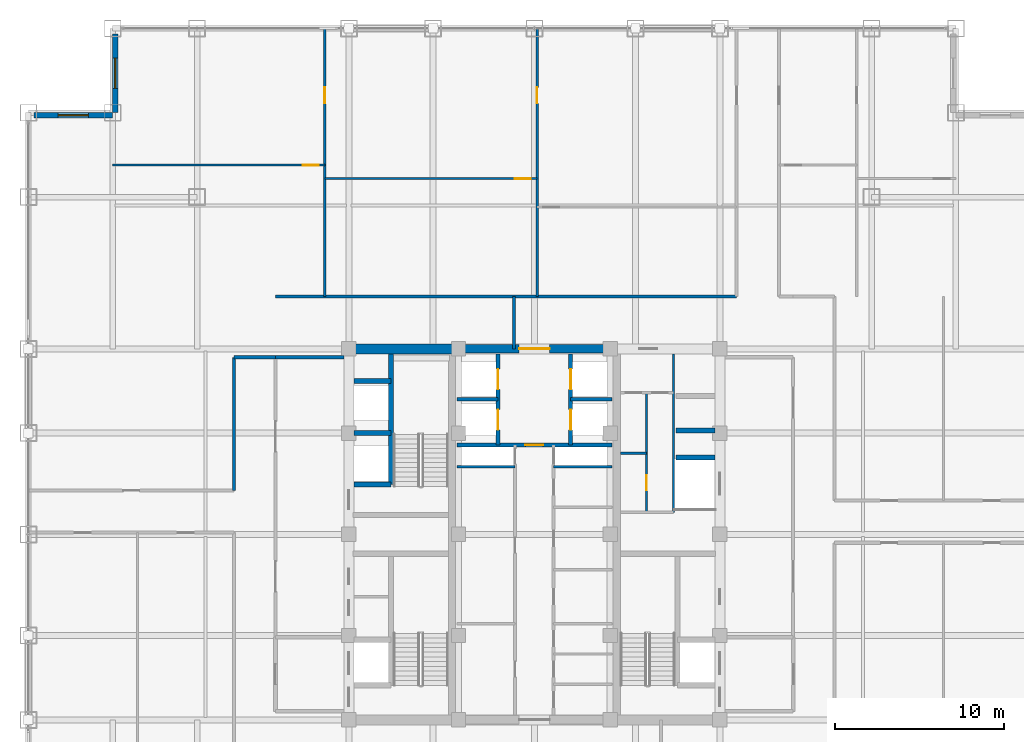
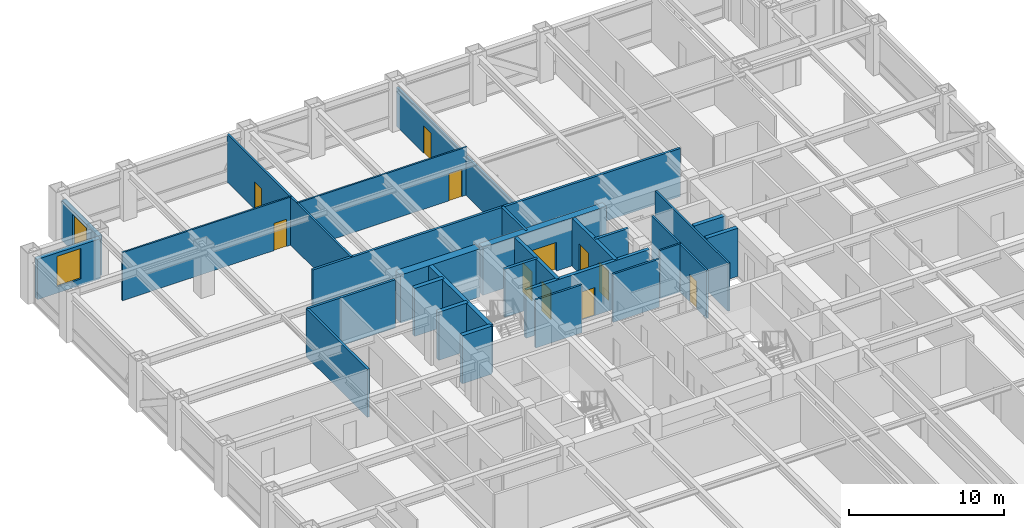
# One storey, part 22 of 25: 29 walls, 11 doors, 2 windows, 13 openings.
"""IFC4 building model written with IfcOpenShell, lengths in metres."""

from ifc_helpers import new_model, si_unit, direction, frame, frame_2d, origin, place, context, subcontext, project, spatial, rectangle, extrude, source, transform, mapped, material, layer, layer_set, type_object, element, fill, save


model = new_model("IFC4")

# Units and contexts
model_context = context("Model", 3, precision=1e-05, world=origin(), true_north=direction((0.0, 1.0)))
body_context = subcontext(model_context, "Body", "Model", "MODEL_VIEW")
ifc_project = project(units=[si_unit("LENGTHUNIT", "METRE"), si_unit("AREAUNIT", "SQUARE_METRE"), si_unit("VOLUMEUNIT", "CUBIC_METRE"), si_unit("PLANEANGLEUNIT", "RADIAN"), si_unit("MASSUNIT", "GRAM", prefix="KILO")], contexts=[model_context])

# Site, building, storey
site_placement = place(None, origin())
site = spatial("IfcSite", under=ifc_project, at=site_placement, CompositionType="ELEMENT")
building_placement = place(site_placement, origin())
building = spatial("IfcBuilding", under=site, at=building_placement, Name="Khorayat Bourse Tower", CompositionType="ELEMENT")
storey_placement = place(building_placement, frame((0.0, 0.0, 223.10009765625)))
storey = spatial("IfcBuildingStorey", under=building, at=storey_placement, Name="L52", CompositionType="ELEMENT", Elevation=223.10009765625)

# Wall, opening, door
ifc_material_1 = material(Name="Concrete C52/65", Category="concrete")
ifc_layer_1 = layer(ifc_material_1, 0.5)
ifc_layer_set_1 = layer_set([ifc_layer_1], Name="Concrete C52/65")
wall_type_1 = type_object("IfcWallType", Name="WAL-CORE-500", PredefinedType="SHEAR", material=ifc_layer_set_1)
shared_shape_1 = source(origin(), body_context, "Body", "SweptSolid", [
    extrude(rectangle(XDim=9.2001953125, YDim=0.5, at=frame_2d((4.60009765625, 0.0))), origin(), (0.0, 0.0, 1.0), 3.77978515625),
])
wall_1_placement = place(storey_placement, frame((-4.60009765625, 11.0, 0.0), z_axis=(0.0, 0.0, 1.0), x_axis=(1.0, 0.0, 0.0)))
wall_1 = element("IfcWall", 1, at=wall_1_placement, inside=storey, type_object=wall_type_1, Name="L52 Core Shear Wall CORE-N", PredefinedType="SHEAR", context=body_context, shape_type="MappedRepresentation", body=[
    mapped(shared_shape_1, transform((0.0, 0.0, 0.0), scale=1.0)),
])
shared_shape_2 = source(origin(), body_context, "Body", "SweptSolid", [
    extrude(rectangle(XDim=1.800048828125, YDim=2.25, at=frame_2d((0.89990234375, 1.125))), frame((0.0, 0.260009765625, 0.0), z_axis=(0.0, -1.0, 0.0), x_axis=(1.0, 0.0, 0.0)), (0.0, 0.0, 1.0), 0.52001953125),
])
opening_1_placement = place(wall_1_placement, frame((3.699951171875, 0.0, 0.0)))
opening_1 = element("IfcOpeningElement", 2, at=opening_1_placement, cuts=wall_1, Name="Opening DI-03", PredefinedType="OPENING", context=body_context, shape_type="MappedRepresentation", body=[
    mapped(shared_shape_2, transform((0.0, 0.0, 0.0), scale=1.0)),
])
ifc_material_2 = material(Name="Fire-rated hardwood vision-panel double leaf", Category="wood")
door_type_1 = type_object("IfcDoorType", Name="DR-INT-CORR-1800", OperationType="NOTDEFINED", PredefinedType="DOOR", material=ifc_material_2)
shared_shape_3 = source(origin(), body_context, "Body", "SweptSolid", [
    extrude(rectangle(XDim=1.800048828125, YDim=2.25, at=frame_2d((0.89990234375, 1.125))), frame((0.0, 0.02490234375, 0.0), z_axis=(0.0, -1.0, 0.0), x_axis=(1.0, 0.0, 0.0)), (0.0, 0.0, 1.0), 0.050048828125),
])
door_1_placement = place(opening_1_placement, origin())
door_1 = element("IfcDoor", 3, at=door_1_placement, inside=storey, type_object=door_type_1, Name="L52 Mid-Rise Lift Lobby Door", OperationType="SINGLE_SWING_RIGHT", OverallHeight=2.25, OverallWidth=1.800048828125, PredefinedType="DOOR", context=body_context, shape_type="MappedRepresentation", body=[
    mapped(shared_shape_3, transform((0.0, 0.0, 0.0), scale=1.0)),
])
fill(opening_1, door_1)

# Wall
ifc_material_3 = material(Name="Concrete C60/75", Category="concrete")
ifc_layer_2 = layer(ifc_material_3, 0.60009765625)
ifc_layer_set_2 = layer_set([ifc_layer_2], Name="Concrete C60/75")
wall_type_2 = type_object("IfcWallType", Name="WAL-CORE-600", PredefinedType="SHEAR", material=ifc_layer_set_2)
shared_shape_4 = source(origin(), body_context, "Body", "SweptSolid", [
    extrude(rectangle(XDim=5.89990234375, YDim=0.60009765625, at=frame_2d((2.949951171875, 0.0))), origin(), (0.0, 0.0, 1.0), 3.77978515625),
])
wall_2_placement = place(storey_placement, frame((-10.75, 11.0, 0.0), z_axis=(0.0, 0.0, 1.0), x_axis=(1.0, 0.0, 0.0)))
element("IfcWall", 4, at=wall_2_placement, inside=storey, type_object=wall_type_2, Name="L52 Core Shear Wall PIER-WN", PredefinedType="SHEAR", context=body_context, shape_type="MappedRepresentation", body=[
    mapped(shared_shape_4, transform((0.0, 0.0, 0.0), scale=1.0)),
])

# Wall, opening, window
ifc_material_4 = material(Name="Precast concrete C45/55", Category="concrete")
ifc_layer_3 = layer(ifc_material_4, 0.320068359375)
ifc_layer_set_3 = layer_set([ifc_layer_3], Name="Precast concrete C45/55")
wall_type_3 = type_object("IfcWallType", Name="WAL-EXT-STONE-320", PredefinedType="STANDARD", material=ifc_layer_set_3)
shared_shape_5 = source(origin(), body_context, "Body", "SweptSolid", [
    extrude(rectangle(XDim=4.679931640625, YDim=0.320068359375, at=frame_2d((2.33984375, 0.0))), origin(), (0.0, 0.0, 1.0), 3.163818359375),
])
wall_3_placement = place(storey_placement, frame((-24.840087890625, 25.0, 0.0), z_axis=(0.0, 0.0, 1.0), x_axis=(0.0, 1.0, 0.0)))
wall_3 = element("IfcWall", 5, at=wall_3_placement, inside=storey, type_object=wall_type_3, Name="L52 Re-Entrant Notch Limestone Wall NW-V", PredefinedType="STANDARD", context=body_context, shape_type="MappedRepresentation", body=[
    mapped(shared_shape_5, transform((0.0, 0.0, 0.0), scale=1.0)),
])
shared_shape_6 = source(origin(), body_context, "Body", "SweptSolid", [
    extrude(rectangle(XDim=1.800048828125, YDim=2.39990234375, at=frame_2d((0.89990234375, 1.199951171875))), frame((0.0, 0.169921875, 0.0), z_axis=(0.0, -1.0, 0.0), x_axis=(1.0, 0.0, 0.0)), (0.0, 0.0, 1.0), 0.340087890625),
])
opening_2_placement = place(wall_3_placement, frame((1.43994140625, 0.0, 0.5)))
opening_2 = element("IfcOpeningElement", 6, at=opening_2_placement, cuts=wall_3, Name="Opening WN-04", PredefinedType="OPENING", context=body_context, shape_type="MappedRepresentation", body=[
    mapped(shared_shape_6, transform((0.0, 0.0, 0.0), scale=1.0)),
])
ifc_material_5 = material(Name="Low-E acoustic laminated double glazing", Category="glass")
window_type = type_object("IfcWindowType", Name="WIN-NOTCH-1800x2400", PartitioningType="SINGLE_PANEL", PredefinedType="WINDOW", material=ifc_material_5)
shared_shape_7 = source(origin(), body_context, "Body", "SweptSolid", [
    extrude(rectangle(XDim=1.800048828125, YDim=2.39990234375, at=frame_2d((0.89990234375, 1.199951171875))), frame((0.0, 0.030029296875, 0.0), z_axis=(0.0, -1.0, 0.0), x_axis=(1.0, 0.0, 0.0)), (0.0, 0.0, 1.0), 0.06005859375),
])
window_1_placement = place(opening_2_placement, origin())
window_1 = element("IfcWindow", 7, at=window_1_placement, inside=storey, type_object=window_type, Name="L52 Facade Window 1", OverallHeight=2.39990234375, OverallWidth=1.800048828125, PartitioningType="SINGLE_PANEL", PredefinedType="WINDOW", context=body_context, shape_type="MappedRepresentation", body=[
    mapped(shared_shape_7, transform((0.0, 0.0, 0.0), scale=1.0)),
])
fill(opening_2, window_1)

wall_4_placement = place(storey_placement, frame((-25.0, 24.840087890625, 0.0), z_axis=(0.0, 0.0, 1.0), x_axis=(-1.0, 0.0, 0.0)))
wall_4 = element("IfcWall", 8, at=wall_4_placement, inside=storey, type_object=wall_type_3, Name="L52 Re-Entrant Notch Limestone Wall NW-H", PredefinedType="STANDARD", context=body_context, shape_type="MappedRepresentation", body=[
    mapped(shared_shape_5, transform((0.0, 0.0, 0.0), scale=1.0)),
])
opening_3_placement = place(wall_4_placement, frame((1.43994140625, 0.0, 0.5)))
opening_3 = element("IfcOpeningElement", 9, at=opening_3_placement, cuts=wall_4, Name="Opening WN-04", PredefinedType="OPENING", context=body_context, shape_type="MappedRepresentation", body=[
    mapped(shared_shape_6, transform((0.0, 0.0, 0.0), scale=1.0)),
])
window_2_placement = place(opening_3_placement, origin())
window_2 = element("IfcWindow", 10, at=window_2_placement, inside=storey, type_object=window_type, Name="L52 Facade Window 1", OverallHeight=2.39990234375, OverallWidth=1.800048828125, PartitioningType="SINGLE_PANEL", PredefinedType="WINDOW", context=body_context, shape_type="MappedRepresentation", body=[
    mapped(shared_shape_7, transform((0.0, 0.0, 0.0), scale=1.0)),
])
fill(opening_3, window_2)

# Walls
ifc_material_6 = material(Name="Concrete C50/60", Category="concrete")
ifc_layer_4 = layer(ifc_material_6, 0.300048828125)
ifc_layer_set_4 = layer_set([ifc_layer_4], Name="Concrete C50/60")
wall_type_4 = type_object("IfcWallType", Name="WAL-SHAFT-300", PredefinedType="SHEAR", material=ifc_layer_set_4)
shared_shape_8 = source(origin(), body_context, "Body", "SweptSolid", [
    extrude(rectangle(XDim=2.199951171875, YDim=0.300048828125, at=frame_2d((1.10009765625, 0.0))), origin(), (0.0, 0.0, 1.0), 3.77978515625),
])
for number, where, z_axis, x_axis, name in (
    (11, (-10.699951171875, 2.949951171875, 0.0), (0.0, 0.0, 1.0), (1.0, 0.0, 0.0), "L52 Partition WAL-L52-WPIER-H1S"),
    (12, (-10.699951171875, 6.0, 0.0), (0.0, 0.0, 1.0), (1.0, 0.0, 0.0), "L52 Partition WAL-L52-WPIER-H12"),
    (13, (-10.699951171875, 9.10009765625, 0.0), (0.0, 0.0, 1.0), (1.0, 0.0, 0.0), "L52 Partition WAL-L52-WPIER-H2N"),
):
    element("IfcWall", number, at=place(storey_placement, frame(where, z_axis=z_axis, x_axis=x_axis)), inside=storey, type_object=wall_type_4, Name=name, PredefinedType="SHEAR", context=body_context, shape_type="MappedRepresentation", body=[
        mapped(shared_shape_8, transform((0.0, 0.0, 0.0), scale=1.0)),
    ])
shared_shape_9 = source(origin(), body_context, "Body", "SweptSolid", [
    extrude(rectangle(XDim=7.75, YDim=0.300048828125, at=frame_2d((3.875, 0.0))), origin(), (0.0, 0.0, 1.0), 3.77978515625),
])
wall_5_placement = place(storey_placement, frame((-8.5, 2.949951171875, 0.0), z_axis=(0.0, 0.0, 1.0), x_axis=(0.0, 1.0, 0.0)))
element("IfcWall", 14, at=wall_5_placement, inside=storey, type_object=wall_type_4, Name="L52 Partition WAL-L52-WPIER-ST2S", PredefinedType="SHEAR", context=body_context, shape_type="MappedRepresentation", body=[
    mapped(shared_shape_9, transform((0.0, 0.0, 0.0), scale=1.0)),
])
shared_shape_10 = source(origin(), body_context, "Body", "SweptSolid", [
    extrude(rectangle(XDim=2.300048828125, YDim=0.300048828125, at=frame_2d((1.14990234375, 0.0))), origin(), (0.0, 0.0, 1.0), 3.77978515625),
])
for number, where, z_axis, x_axis, name in (
    (15, (8.39990234375, 4.550048828125, 0.0), (0.0, 0.0, 1.0), (1.0, 0.0, 0.0), "L52 Partition WAL-L52-EPIER-SVLN"),
    (16, (8.39990234375, 6.14990234375, 0.0), (0.0, 0.0, 1.0), (1.0, 0.0, 0.0), "L52 Partition WAL-L52-EPIER-H3S"),
):
    element("IfcWall", number, at=place(storey_placement, frame(where, z_axis=z_axis, x_axis=x_axis)), inside=storey, type_object=wall_type_4, Name=name, PredefinedType="SHEAR", context=body_context, shape_type="MappedRepresentation", body=[
        mapped(shared_shape_10, transform((0.0, 0.0, 0.0), scale=1.0)),
    ])
ifc_material_7 = material(Name="Moisture-resistant masonry partition", Category="masonry")
ifc_layer_5 = layer(ifc_material_7, 0.139892578125)
ifc_layer_set_5 = layer_set([ifc_layer_5], Name="Moisture-resistant masonry partition")
wall_type_5 = type_object("IfcWallType", Name="WAL-PART-WET-140", PredefinedType="PARTITIONING", material=ifc_layer_set_5)
shared_shape_11 = source(origin(), body_context, "Body", "SweptSolid", [
    extrude(rectangle(XDim=9.39990234375, YDim=0.139892578125, at=frame_2d((4.699951171875, 0.0))), origin(), (0.0, 0.0, 1.0), 3.77978515625),
])
wall_6_placement = place(storey_placement, frame((8.25, 1.300048828125, 0.0), z_axis=(0.0, 0.0, 1.0), x_axis=(0.0, 1.0, 0.0)))
element("IfcWall", 17, at=wall_6_placement, inside=storey, type_object=wall_type_5, Name="L52 Partition WAL-L52-ECORE-E", PredefinedType="PARTITIONING", context=body_context, shape_type="MappedRepresentation", body=[
    mapped(shared_shape_11, transform((0.0, 0.0, 0.0), scale=1.0)),
])
ifc_material_8 = material(Name="Gypsum plasterboard acoustic stud wall")
ifc_layer_6 = layer(ifc_material_8, 0.179931640625)
ifc_layer_set_6 = layer_set([ifc_layer_6], Name="Gypsum plasterboard acoustic stud wall")
wall_type_6 = type_object("IfcWallType", Name="WAL-PART-CORR-180", PredefinedType="PARTITIONING", material=ifc_layer_set_6)
shared_shape_12 = source(origin(), body_context, "Body", "SweptSolid", [
    extrude(rectangle(XDim=4.050048828125, YDim=0.179931640625, at=frame_2d((2.02490234375, 0.0))), origin(), (0.0, 0.0, 1.0), 3.77978515625),
])
wall_7_placement = place(storey_placement, frame((-15.35009765625, 10.5, 0.0), z_axis=(0.0, 0.0, 1.0), x_axis=(1.0, 0.0, 0.0)))
element("IfcWall", 18, at=wall_7_placement, inside=storey, type_object=wall_type_6, Name="L52 Partition WAL-L52-WLOB-N", PredefinedType="PARTITIONING", context=body_context, shape_type="MappedRepresentation", body=[
    mapped(shared_shape_12, transform((0.0, 0.0, 0.0), scale=1.0)),
])
ifc_material_9 = material(Name="Gypsum plasterboard twin-frame partition")
ifc_layer_7 = layer(ifc_material_9, 0.14990234375)
ifc_layer_set_7 = layer_set([ifc_layer_7], Name="Gypsum plasterboard twin-frame partition")
wall_type_7 = type_object("IfcWallType", Name="WAL-PART-SUITE-150", PredefinedType="PARTITIONING", material=ifc_layer_set_7)
shared_shape_13 = source(origin(), body_context, "Body", "SweptSolid", [
    extrude(rectangle(XDim=3.4501953125, YDim=0.14990234375, at=frame_2d((1.72509765625, 0.0))), origin(), (0.0, 0.0, 1.0), 3.77978515625),
])
for number, where, z_axis, x_axis, name in (
    (19, (-4.60009765625, 4.0, 0.0), (0.0, 0.0, 1.0), (1.0, 0.0, 0.0), "L52 Partition WAL-L52-CRSW-S"),
    (20, (1.14990234375, 4.0, 0.0), (0.0, 0.0, 1.0), (1.0, 0.0, 0.0), "L52 Partition WAL-L52-CRSE-S"),
):
    element("IfcWall", number, at=place(storey_placement, frame(where, z_axis=z_axis, x_axis=x_axis)), inside=storey, type_object=wall_type_7, Name=name, PredefinedType="PARTITIONING", context=body_context, shape_type="MappedRepresentation", body=[
        mapped(shared_shape_13, transform((0.0, 0.0, 0.0), scale=1.0)),
    ])

# Wall, openings, doors
shared_shape_14 = source(origin(), body_context, "Body", "SweptSolid", [
    extrude(rectangle(XDim=5.39990234375, YDim=0.25, at=frame_2d((2.699951171875, 0.0))), origin(), (0.0, 0.0, 1.0), 3.77978515625),
])
wall_8_placement = place(storey_placement, frame((-2.14990234375, 5.300048828125, 0.0), z_axis=(0.0, 0.0, 1.0), x_axis=(0.0, 1.0, 0.0)))
wall_8 = element("IfcWall", 21, at=wall_8_placement, inside=storey, type_object=wall_type_4, Name="L52 Partition WAL-L52-B2-W", PredefinedType="SHEAR", context=body_context, shape_type="MappedRepresentation", body=[
    mapped(shared_shape_14, transform((0.0, 0.0, 0.0), scale=1.0)),
])
shared_shape_15 = source(origin(), body_context, "Body", "SweptSolid", [
    extrude(rectangle(XDim=1.199951171875, YDim=2.300048828125, at=frame_2d((0.60009765625, 1.14990234375))), frame((0.0, 0.135009765625, 0.0), z_axis=(0.0, -1.0, 0.0), x_axis=(1.0, 0.0, 0.0)), (0.0, 0.0, 1.0), 0.27001953125),
])
opening_4_placement = place(wall_8_placement, frame((3.300048828125, 0.0, 0.0)))
opening_4 = element("IfcOpeningElement", 22, at=opening_4_placement, cuts=wall_8, Name="Opening LD-01", PredefinedType="OPENING", context=body_context, shape_type="MappedRepresentation", body=[
    mapped(shared_shape_15, transform((0.0, 0.0, 0.0), scale=1.0)),
])
opening_5_placement = place(wall_8_placement, frame((0.89990234375, 0.0, 0.0)))
opening_5 = element("IfcOpeningElement", 23, at=opening_5_placement, cuts=wall_8, Name="Opening LD-01", PredefinedType="OPENING", context=body_context, shape_type="MappedRepresentation", body=[
    mapped(shared_shape_15, transform((0.0, 0.0, 0.0), scale=1.0)),
])
ifc_material_10 = material(Name="Brushed bronze stainless-steel sliding door", Category="steel")
door_type_2 = type_object("IfcDoorType", Name="DR-LIFT-PASS-1200", OperationType="NOTDEFINED", PredefinedType="DOOR", material=ifc_material_10)
shared_shape_16 = source(origin(), body_context, "Body", "SweptSolid", [
    extrude(rectangle(XDim=1.199951171875, YDim=2.300048828125, at=frame_2d((0.60009765625, 1.14990234375))), frame((0.0, 0.02490234375, 0.0), z_axis=(0.0, -1.0, 0.0), x_axis=(1.0, 0.0, 0.0)), (0.0, 0.0, 1.0), 0.050048828125),
])
door_2_placement = place(opening_4_placement, origin())
door_2 = element("IfcDoor", 24, at=door_2_placement, inside=storey, type_object=door_type_2, Name="L52 Lift PL-M1 Sliding Landing Door", OperationType="SLIDING_TO_LEFT", OverallHeight=2.300048828125, OverallWidth=1.199951171875, PredefinedType="DOOR", context=body_context, shape_type="MappedRepresentation", body=[
    mapped(shared_shape_16, transform((0.0, 0.0, 0.0), scale=1.0)),
])
fill(opening_4, door_2)
door_3_placement = place(opening_5_placement, origin())
door_3 = element("IfcDoor", 25, at=door_3_placement, inside=storey, type_object=door_type_2, Name="L52 Lift PL-M3 Sliding Landing Door", OperationType="SLIDING_TO_LEFT", OverallHeight=2.300048828125, OverallWidth=1.199951171875, PredefinedType="DOOR", context=body_context, shape_type="MappedRepresentation", body=[
    mapped(shared_shape_16, transform((0.0, 0.0, 0.0), scale=1.0)),
])
fill(opening_5, door_3)

wall_9_placement = place(storey_placement, frame((2.14990234375, 5.300048828125, 0.0), z_axis=(0.0, 0.0, 1.0), x_axis=(0.0, 1.0, 0.0)))
wall_9 = element("IfcWall", 26, at=wall_9_placement, inside=storey, type_object=wall_type_4, Name="L52 Partition WAL-L52-B2-E", PredefinedType="SHEAR", context=body_context, shape_type="MappedRepresentation", body=[
    mapped(shared_shape_14, transform((0.0, 0.0, 0.0), scale=1.0)),
])
opening_6_placement = place(wall_9_placement, frame((3.300048828125, 0.0, 0.0)))
opening_6 = element("IfcOpeningElement", 27, at=opening_6_placement, cuts=wall_9, Name="Opening LD-01", PredefinedType="OPENING", context=body_context, shape_type="MappedRepresentation", body=[
    mapped(shared_shape_15, transform((0.0, 0.0, 0.0), scale=1.0)),
])
opening_7_placement = place(wall_9_placement, frame((0.89990234375, 0.0, 0.0)))
opening_7 = element("IfcOpeningElement", 28, at=opening_7_placement, cuts=wall_9, Name="Opening LD-01", PredefinedType="OPENING", context=body_context, shape_type="MappedRepresentation", body=[
    mapped(shared_shape_15, transform((0.0, 0.0, 0.0), scale=1.0)),
])
door_4_placement = place(opening_6_placement, origin())
door_4 = element("IfcDoor", 29, at=door_4_placement, inside=storey, type_object=door_type_2, Name="L52 Lift PL-M2 Sliding Landing Door", OperationType="SLIDING_TO_LEFT", OverallHeight=2.300048828125, OverallWidth=1.199951171875, PredefinedType="DOOR", context=body_context, shape_type="MappedRepresentation", body=[
    mapped(shared_shape_16, transform((0.0, 0.0, 0.0), scale=1.0)),
])
fill(opening_6, door_4)
door_5_placement = place(opening_7_placement, origin())
door_5 = element("IfcDoor", 30, at=door_5_placement, inside=storey, type_object=door_type_2, Name="L52 Lift PL-M4 Sliding Landing Door", OperationType="SLIDING_TO_LEFT", OverallHeight=2.300048828125, OverallWidth=1.199951171875, PredefinedType="DOOR", context=body_context, shape_type="MappedRepresentation", body=[
    mapped(shared_shape_16, transform((0.0, 0.0, 0.0), scale=1.0)),
])
fill(opening_7, door_5)

# Walls
shared_shape_17 = source(origin(), body_context, "Body", "SweptSolid", [
    extrude(rectangle(XDim=2.4501953125, YDim=0.199951171875, at=frame_2d((1.22509765625, 0.0))), origin(), (0.0, 0.0, 1.0), 3.77978515625),
])
for number, where, z_axis, x_axis, name in (
    (31, (-4.60009765625, 8.0, 0.0), (0.0, 0.0, 1.0), (1.0, 0.0, 0.0), "L52 Partition WAL-L52-B2-MW"),
    (32, (2.14990234375, 8.0, 0.0), (0.0, 0.0, 1.0), (1.0, 0.0, 0.0), "L52 Partition WAL-L52-B2-ME"),
):
    element("IfcWall", number, at=place(storey_placement, frame(where, z_axis=z_axis, x_axis=x_axis)), inside=storey, type_object=wall_type_4, Name=name, PredefinedType="SHEAR", context=body_context, shape_type="MappedRepresentation", body=[
        mapped(shared_shape_17, transform((0.0, 0.0, 0.0), scale=1.0)),
    ])

# Wall, opening, door
shared_shape_18 = source(origin(), body_context, "Body", "SweptSolid", [
    extrude(rectangle(XDim=9.2001953125, YDim=0.25, at=frame_2d((4.60009765625, 0.0))), origin(), (0.0, 0.0, 1.0), 3.77978515625),
])
wall_10_placement = place(storey_placement, frame((-4.60009765625, 5.300048828125, 0.0), z_axis=(0.0, 0.0, 1.0), x_axis=(1.0, 0.0, 0.0)))
wall_10 = element("IfcWall", 33, at=wall_10_placement, inside=storey, type_object=wall_type_4, Name="L52 Partition WAL-L52-B2-S", PredefinedType="SHEAR", context=body_context, shape_type="MappedRepresentation", body=[
    mapped(shared_shape_18, transform((0.0, 0.0, 0.0), scale=1.0)),
])
shared_shape_19 = source(origin(), body_context, "Body", "SweptSolid", [
    extrude(rectangle(XDim=1.050048828125, YDim=2.199951171875, at=frame_2d((0.52490234375, 1.10009765625))), frame((0.0, 0.135009765625, 0.0), z_axis=(0.0, -1.0, 0.0), x_axis=(1.0, 0.0, 0.0)), (0.0, 0.0, 1.0), 0.27001953125),
])
opening_8_placement = place(wall_10_placement, frame((4.074951171875, 0.0, 0.0)))
opening_8 = element("IfcOpeningElement", 34, at=opening_8_placement, cuts=wall_10, Name="Opening DI-04", PredefinedType="OPENING", context=body_context, shape_type="MappedRepresentation", body=[
    mapped(shared_shape_19, transform((0.0, 0.0, 0.0), scale=1.0)),
])
ifc_material_11 = material(Name="Fire-rated oak veneer suite entrance door")
door_type_3 = type_object("IfcDoorType", Name="DR-INT-SUITE-1050", OperationType="NOTDEFINED", PredefinedType="DOOR", material=ifc_material_11)
shared_shape_20 = source(origin(), body_context, "Body", "SweptSolid", [
    extrude(rectangle(XDim=1.050048828125, YDim=2.199951171875, at=frame_2d((0.52490234375, 1.10009765625))), frame((0.0, 0.02490234375, 0.0), z_axis=(0.0, -1.0, 0.0), x_axis=(1.0, 0.0, 0.0)), (0.0, 0.0, 1.0), 0.050048828125),
])
door_6_placement = place(opening_8_placement, origin())
door_6 = element("IfcDoor", 35, at=door_6_placement, inside=storey, type_object=door_type_3, Name="L52 Core Spine North Door", OperationType="SINGLE_SWING_RIGHT", OverallHeight=2.199951171875, OverallWidth=1.050048828125, PredefinedType="DOOR", context=body_context, shape_type="MappedRepresentation", body=[
    mapped(shared_shape_20, transform((0.0, 0.0, 0.0), scale=1.0)),
])
fill(opening_8, door_6)

# Walls
shared_shape_21 = source(origin(), body_context, "Body", "SweptSolid", [
    extrude(rectangle(XDim=2.449951171875, YDim=0.179931640625, at=frame_2d((1.22509765625, 0.0))), origin(), (0.0, 0.0, 1.0), 3.77978515625),
])
wall_11_placement = place(storey_placement, frame((-17.800048828125, 10.5, 0.0), z_axis=(0.0, 0.0, 1.0), x_axis=(1.0, 0.0, 0.0)))
element("IfcWall", 36, at=wall_11_placement, inside=storey, type_object=wall_type_6, Name="L52 Partition WAL-L52-C2-WN", PredefinedType="PARTITIONING", context=body_context, shape_type="MappedRepresentation", body=[
    mapped(shared_shape_21, transform((0.0, 0.0, 0.0), scale=1.0)),
])
shared_shape_22 = source(origin(), body_context, "Body", "SweptSolid", [
    extrude(rectangle(XDim=27.35009765625, YDim=0.179931640625, at=frame_2d((13.675048828125, 0.0))), origin(), (0.0, 0.0, 1.0), 3.77978515625),
])
wall_12_placement = place(storey_placement, frame((-15.35009765625, 14.10009765625, 0.0), z_axis=(0.0, 0.0, 1.0), x_axis=(1.0, 0.0, 0.0)))
element("IfcWall", 37, at=wall_12_placement, inside=storey, type_object=wall_type_6, Name="L52 Partition WAL-L52-QNW-HC", PredefinedType="PARTITIONING", context=body_context, shape_type="MappedRepresentation", body=[
    mapped(shared_shape_22, transform((0.0, 0.0, 0.0), scale=1.0)),
])
shared_shape_23 = source(origin(), body_context, "Body", "SweptSolid", [
    extrude(rectangle(XDim=3.10009765625, YDim=0.179931640625, at=frame_2d((1.550048828125, 0.0))), origin(), (0.0, 0.0, 1.0), 3.77978515625),
])
wall_13_placement = place(storey_placement, frame((-1.199951171875, 11.0, 0.0), z_axis=(0.0, 0.0, 1.0), x_axis=(0.0, 1.0, 0.0)))
element("IfcWall", 38, at=wall_13_placement, inside=storey, type_object=wall_type_6, Name="L52 Partition WAL-L52-C2-NCW", PredefinedType="PARTITIONING", context=body_context, shape_type="MappedRepresentation", body=[
    mapped(shared_shape_23, transform((0.0, 0.0, 0.0), scale=1.0)),
])

# Wall, opening, door
shared_shape_24 = source(origin(), body_context, "Body", "SweptSolid", [
    extrude(rectangle(XDim=15.89990234375, YDim=0.14990234375, at=frame_2d((7.949951171875, 0.0))), origin(), (0.0, 0.0, 1.0), 3.77978515625),
])
wall_14_placement = place(storey_placement, frame((-12.419921875, 14.10009765625, 0.0), z_axis=(0.0, 0.0, 1.0), x_axis=(0.0, 1.0, 0.0)))
wall_14 = element("IfcWall", 39, at=wall_14_placement, inside=storey, type_object=wall_type_7, Name="L52 Partition WAL-L52-QNWDV-1", PredefinedType="PARTITIONING", context=body_context, shape_type="MappedRepresentation", body=[
    mapped(shared_shape_24, transform((0.0, 0.0, 0.0), scale=1.0)),
])
shared_shape_25 = source(origin(), body_context, "Body", "SweptSolid", [
    extrude(rectangle(XDim=0.949951171875, YDim=2.14990234375, at=frame_2d((0.47509765625, 1.074951171875))), frame((0.0, 0.0849609375, 0.0), z_axis=(0.0, -1.0, 0.0), x_axis=(1.0, 0.0, 0.0)), (0.0, 0.0, 1.0), 0.169921875),
])
opening_9_placement = place(wall_14_placement, frame((11.449951171875, 0.0, 0.0)))
opening_9 = element("IfcOpeningElement", 40, at=opening_9_placement, cuts=wall_14, Name="Opening DI-05", PredefinedType="OPENING", context=body_context, shape_type="MappedRepresentation", body=[
    mapped(shared_shape_25, transform((0.0, 0.0, 0.0), scale=1.0)),
])
ifc_material_12 = material(Name="Acoustic oak veneer office door")
door_type_4 = type_object("IfcDoorType", Name="DR-INT-OFFICE-950", OperationType="NOTDEFINED", PredefinedType="DOOR", material=ifc_material_12)
shared_shape_26 = source(origin(), body_context, "Body", "SweptSolid", [
    extrude(rectangle(XDim=0.949951171875, YDim=2.14990234375, at=frame_2d((0.47509765625, 1.074951171875))), frame((0.0, 0.02490234375, 0.0), z_axis=(0.0, -1.0, 0.0), x_axis=(1.0, 0.0, 0.0)), (0.0, 0.0, 1.0), 0.050048828125),
])
door_7_placement = place(opening_9_placement, origin())
door_7 = element("IfcDoor", 41, at=door_7_placement, inside=storey, type_object=door_type_4, Name="L52 North-West Suite Link 1", OperationType="SINGLE_SWING_RIGHT", OverallHeight=2.14990234375, OverallWidth=0.949951171875, PredefinedType="DOOR", context=body_context, shape_type="MappedRepresentation", body=[
    mapped(shared_shape_26, transform((0.0, 0.0, 0.0), scale=1.0)),
])
fill(opening_9, door_7)

shared_shape_27 = source(origin(), body_context, "Body", "SweptSolid", [
    extrude(rectangle(XDim=7.099853515625, YDim=0.139892578125, at=frame_2d((3.5498046875, 0.0))), origin(), (0.0, 0.0, 1.0), 3.77978515625),
])
wall_15_placement = place(storey_placement, frame((6.64990234375, 1.300048828125, 0.0), z_axis=(0.0, 0.0, 1.0), x_axis=(0.0, 1.0, 0.0)))
wall_15 = element("IfcWall", 42, at=wall_15_placement, inside=storey, type_object=wall_type_5, Name="L52 Partition WAL-L52-ECW-MID", PredefinedType="PARTITIONING", context=body_context, shape_type="MappedRepresentation", body=[
    mapped(shared_shape_27, transform((0.0, 0.0, 0.0), scale=1.0)),
])
shared_shape_28 = source(origin(), body_context, "Body", "SweptSolid", [
    extrude(rectangle(XDim=0.89990234375, YDim=2.14990234375, at=frame_2d((0.449951171875, 1.074951171875))), frame((0.0, 0.079833984375, 0.0), z_axis=(0.0, -1.0, 0.0), x_axis=(1.0, 0.0, 0.0)), (0.0, 0.0, 1.0), 0.159912109375),
])
opening_10_placement = place(wall_15_placement, frame((1.300048828125, 0.0, 0.0)))
opening_10 = element("IfcOpeningElement", 43, at=opening_10_placement, cuts=wall_15, Name="Opening DI-06", PredefinedType="OPENING", context=body_context, shape_type="MappedRepresentation", body=[
    mapped(shared_shape_28, transform((0.0, 0.0, 0.0), scale=1.0)),
])
ifc_material_13 = material(Name="Moisture-resistant laminate washroom door")
door_type_5 = type_object("IfcDoorType", Name="DR-INT-WC-900", OperationType="NOTDEFINED", PredefinedType="DOOR", material=ifc_material_13)
shared_shape_29 = source(origin(), body_context, "Body", "SweptSolid", [
    extrude(rectangle(XDim=0.89990234375, YDim=2.14990234375, at=frame_2d((0.449951171875, 1.074951171875))), frame((0.0, 0.02490234375, 0.0), z_axis=(0.0, -1.0, 0.0), x_axis=(1.0, 0.0, 0.0)), (0.0, 0.0, 1.0), 0.050048828125),
])
door_8_placement = place(opening_10_placement, origin())
door_8 = element("IfcDoor", 44, at=door_8_placement, inside=storey, type_object=door_type_5, Name="L52 Janitor Store Door", OperationType="SINGLE_SWING_LEFT", OverallHeight=2.14990234375, OverallWidth=0.89990234375, PredefinedType="DOOR", context=body_context, shape_type="MappedRepresentation", body=[
    mapped(shared_shape_29, transform((0.0, 0.0, 0.0), scale=1.0)),
])
fill(opening_10, door_8)

# Wall
shared_shape_30 = source(origin(), body_context, "Body", "SweptSolid", [
    extrude(rectangle(XDim=1.5498046875, YDim=0.139892578125, at=frame_2d((0.77490234375, 0.0))), origin(), (0.0, 0.0, 1.0), 3.77978515625),
])
wall_16_placement = place(storey_placement, frame((5.10009765625, 4.800048828125, 0.0), z_axis=(0.0, 0.0, 1.0), x_axis=(1.0, 0.0, 0.0)))
element("IfcWall", 45, at=wall_16_placement, inside=storey, type_object=wall_type_5, Name="L52 Partition WAL-L52-ECW-BOT", PredefinedType="PARTITIONING", context=body_context, shape_type="MappedRepresentation", body=[
    mapped(shared_shape_30, transform((0.0, 0.0, 0.0), scale=1.0)),
])

# Wall, opening, door
ifc_material_14 = material(Name="Gypsum plasterboard partition")
ifc_layer_8 = layer(ifc_material_14, 0.125)
ifc_layer_set_8 = layer_set([ifc_layer_8], Name="Gypsum plasterboard partition")
wall_type_8 = type_object("IfcWallType", Name="WAL-PART-ROOM-125", PredefinedType="PARTITIONING", material=ifc_layer_set_8)
shared_shape_31 = source(origin(), body_context, "Body", "SweptSolid", [
    extrude(rectangle(XDim=12.580078125, YDim=0.125, at=frame_2d((6.2900390625, 0.0))), origin(), (0.0, 0.0, 1.0), 3.77978515625),
])
wall_17_placement = place(storey_placement, frame((-25.0, 21.89111328125, 0.0), z_axis=(0.0, 0.0, 1.0), x_axis=(1.0, 0.0, 0.0)))
wall_17 = element("IfcWall", 46, at=wall_17_placement, inside=storey, type_object=wall_type_8, Name="L52 Partition WAL-L52-QNWDP-1", PredefinedType="PARTITIONING", context=body_context, shape_type="MappedRepresentation", body=[
    mapped(shared_shape_31, transform((0.0, 0.0, 0.0), scale=1.0)),
])
shared_shape_32 = source(origin(), body_context, "Body", "SweptSolid", [
    extrude(rectangle(XDim=0.949951171875, YDim=2.14990234375, at=frame_2d((0.47509765625, 1.074951171875))), frame((0.0, 0.072509765625, 0.0), z_axis=(0.0, -1.0, 0.0), x_axis=(1.0, 0.0, 0.0)), (0.0, 0.0, 1.0), 0.14501953125),
])
opening_11_placement = place(wall_17_placement, frame((11.2548828125, 0.0, 0.0)))
opening_11 = element("IfcOpeningElement", 47, at=opening_11_placement, cuts=wall_17, Name="Opening DI-05", PredefinedType="OPENING", context=body_context, shape_type="MappedRepresentation", body=[
    mapped(shared_shape_32, transform((0.0, 0.0, 0.0), scale=1.0)),
])
door_9_placement = place(opening_11_placement, origin())
door_9 = element("IfcDoor", 48, at=door_9_placement, inside=storey, type_object=door_type_4, Name="L52 North-West Members Club Room 1B Door", OperationType="SINGLE_SWING_RIGHT", OverallHeight=2.14990234375, OverallWidth=0.949951171875, PredefinedType="DOOR", context=body_context, shape_type="MappedRepresentation", body=[
    mapped(shared_shape_26, transform((0.0, 0.0, 0.0), scale=1.0)),
])
fill(opening_11, door_9)

shared_shape_33 = source(origin(), body_context, "Body", "SweptSolid", [
    extrude(rectangle(XDim=12.579833984375, YDim=0.125, at=frame_2d((6.2900390625, 0.0))), origin(), (0.0, 0.0, 1.0), 3.77978515625),
])
wall_18_placement = place(storey_placement, frame((-12.419921875, 21.095947265625, 0.0), z_axis=(0.0, 0.0, 1.0), x_axis=(1.0, 0.0, 0.0)))
wall_18 = element("IfcWall", 49, at=wall_18_placement, inside=storey, type_object=wall_type_8, Name="L52 Partition WAL-L52-QNWDP-2", PredefinedType="PARTITIONING", context=body_context, shape_type="MappedRepresentation", body=[
    mapped(shared_shape_33, transform((0.0, 0.0, 0.0), scale=1.0)),
])
opening_12_placement = place(wall_18_placement, frame((11.2548828125, 0.0, 0.0)))
opening_12 = element("IfcOpeningElement", 50, at=opening_12_placement, cuts=wall_18, Name="Opening DI-05", PredefinedType="OPENING", context=body_context, shape_type="MappedRepresentation", body=[
    mapped(shared_shape_32, transform((0.0, 0.0, 0.0), scale=1.0)),
])
door_10_placement = place(opening_12_placement, origin())
door_10 = element("IfcDoor", 51, at=door_10_placement, inside=storey, type_object=door_type_4, Name="L52 North-West Staff Tea Pantry 2B Door", OperationType="SINGLE_SWING_LEFT", OverallHeight=2.14990234375, OverallWidth=0.949951171875, PredefinedType="DOOR", context=body_context, shape_type="MappedRepresentation", body=[
    mapped(shared_shape_26, transform((0.0, 0.0, 0.0), scale=1.0)),
])
fill(opening_12, door_10)

shared_shape_34 = source(origin(), body_context, "Body", "SweptSolid", [
    extrude(rectangle(XDim=15.89990234375, YDim=0.14990234375, at=frame_2d((7.949951171875, 0.0))), origin(), (0.0, 0.0, 1.0), 3.0849609375),
])
wall_19_placement = place(storey_placement, frame((0.159912109375, 14.10009765625, 0.0), z_axis=(0.0, 0.0, 1.0), x_axis=(0.0, 1.0, 0.0)))
wall_19 = element("IfcWall", 52, at=wall_19_placement, inside=storey, type_object=wall_type_7, Name="L52 Partition WAL-L52-QNWDV-2", PredefinedType="PARTITIONING", context=body_context, shape_type="MappedRepresentation", body=[
    mapped(shared_shape_34, transform((0.0, 0.0, 0.0), scale=1.0)),
])
opening_13_placement = place(wall_19_placement, frame((11.449951171875, 0.0, 0.0)))
opening_13 = element("IfcOpeningElement", 53, at=opening_13_placement, cuts=wall_19, Name="Opening DI-05", PredefinedType="OPENING", context=body_context, shape_type="MappedRepresentation", body=[
    mapped(shared_shape_25, transform((0.0, 0.0, 0.0), scale=1.0)),
])
door_11_placement = place(opening_13_placement, origin())
door_11 = element("IfcDoor", 54, at=door_11_placement, inside=storey, type_object=door_type_4, Name="L52 North-West Suite Link 2", OperationType="SINGLE_SWING_LEFT", OverallHeight=2.14990234375, OverallWidth=0.949951171875, PredefinedType="DOOR", context=body_context, shape_type="MappedRepresentation", body=[
    mapped(shared_shape_26, transform((0.0, 0.0, 0.0), scale=1.0)),
])
fill(opening_13, door_11)

# Wall
shared_shape_35 = source(origin(), body_context, "Body", "SweptSolid", [
    extrude(rectangle(XDim=7.89990234375, YDim=0.179931640625, at=frame_2d((3.949951171875, 0.0))), origin(), (0.0, 0.0, 1.0), 3.77978515625),
])
wall_20_placement = place(storey_placement, frame((-17.800048828125, 2.60009765625, 0.0), z_axis=(0.0, 0.0, 1.0), x_axis=(0.0, 1.0, 0.0)))
element("IfcWall", 55, at=wall_20_placement, inside=storey, type_object=wall_type_6, Name="L52 Partition WAL-L52-WN-IN", PredefinedType="PARTITIONING", context=body_context, shape_type="MappedRepresentation", body=[
    mapped(shared_shape_35, transform((0.0, 0.0, 0.0), scale=1.0)),
])

save(model, "model.ifc")
